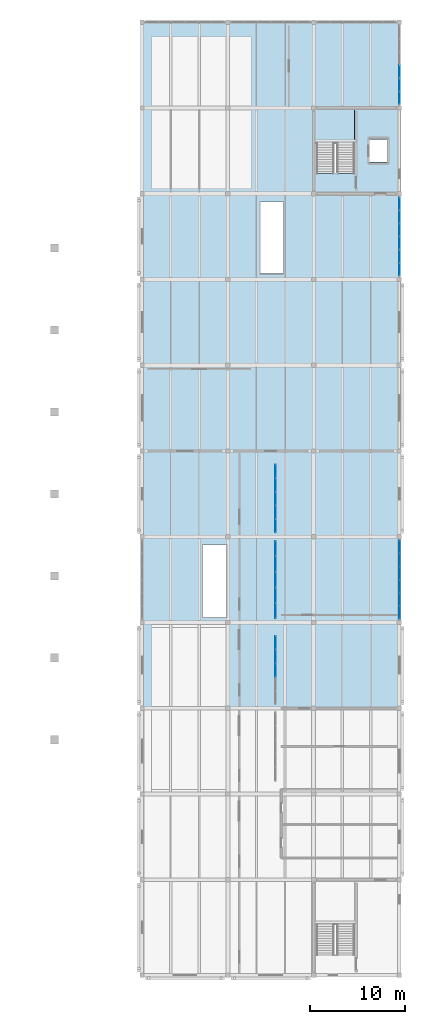
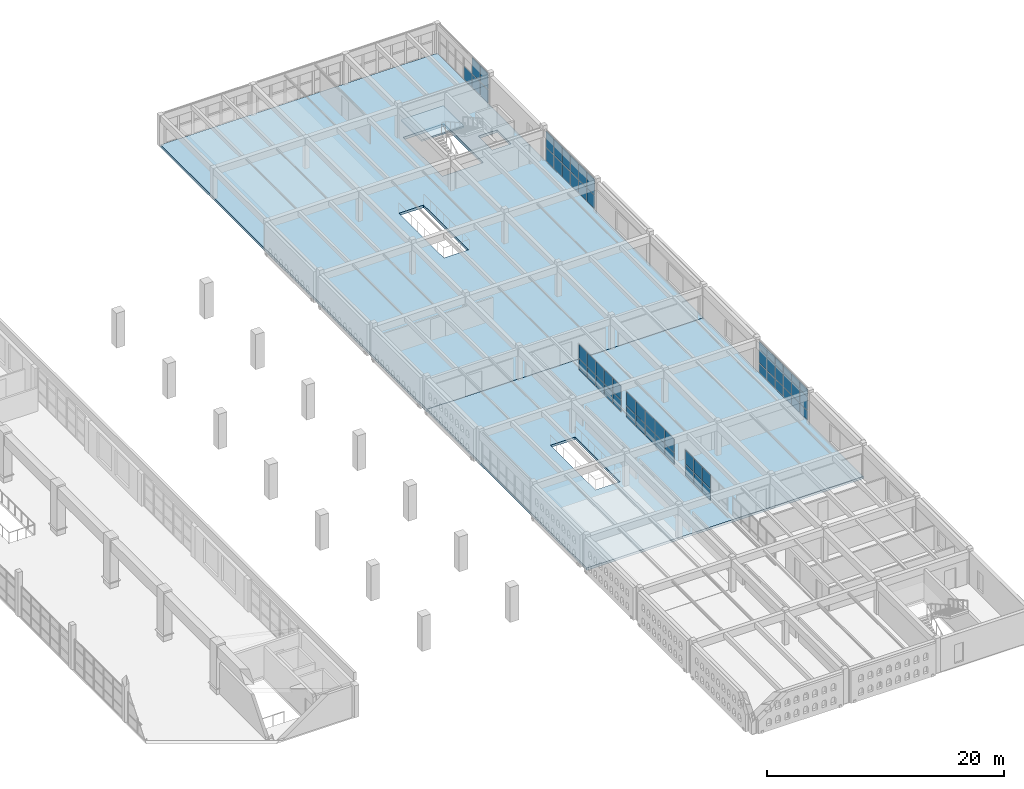
# One storey, part 63 of 80: 61 plates, 3 slabs, 7 elements without a shape of their own.
"""IFC4 building model written with IfcOpenShell, lengths in metres."""

from ifc_helpers import new_model, si_unit, direction, frame, origin, origin_2d, place, context, subcontext, project, spatial, polyline, rectangle, outline, extrude, material, layer, layer_set, type_object, element, aggregate, save


model = new_model("IFC4")

# Units and contexts
model_context = context("Model", 3, precision=1e-05, world=origin(), true_north=direction((0.0, 1.0)))
body_context = subcontext(model_context, "Body", "Model", "MODEL_VIEW")
ifc_project = project(units=[si_unit("LENGTHUNIT", "METRE"), si_unit("AREAUNIT", "SQUARE_METRE"), si_unit("VOLUMEUNIT", "CUBIC_METRE"), si_unit("PLANEANGLEUNIT", "RADIAN"), si_unit("MASSUNIT", "GRAM", prefix="KILO")], contexts=[model_context])

# Site, building, storey
site_placement = place(None, origin())
site = spatial("IfcSite", under=ifc_project, at=site_placement, CompositionType="ELEMENT")
building_placement = place(site_placement, origin())
building = spatial("IfcBuilding", under=site, at=building_placement, Name="Ornek Quay Market", CompositionType="ELEMENT")
storey_placement = place(building_placement, frame((0.0, 0.0, 8.39990234375)))
storey = spatial("IfcBuildingStorey", under=building, at=storey_placement, Name="L02", CompositionType="ELEMENT", Elevation=8.39990234375)

# Curtain wall, plates
ifc_material_1 = material(Name="Anodised bronze aluminium and triple low-e glass", Category="aluminium")
ifc_layer_1 = layer(ifc_material_1, 0.139892578125, Name="Anodised bronze aluminium and triple low-e glass", Category="aluminium")
ifc_layer_set_1 = layer_set([ifc_layer_1], Name="Anodised bronze aluminium and triple low-e glass")
curtain_wall_type_1 = type_object("IfcCurtainWallType", Name="CW-GALLERY-INT", PredefinedType="USERDEFINED", material=ifc_layer_set_1)
curtain_wall_1_placement = place(storey_placement, origin())
curtain_wall_1 = element("IfcCurtainWall", 1, at=curtain_wall_1_placement, inside=storey, type_object=curtain_wall_type_1, Name="Curtain wall CW-168", ObjectType="CURTAIN WALL", PredefinedType="USERDEFINED")
ifc_material_2 = material(Name="Toughened laminated acoustic glass", Category="glass")
ifc_layer_2 = layer(ifc_material_2, 0.01611328125, Name="Toughened laminated acoustic glass", Category="glass")
ifc_layer_set_2 = layer_set([ifc_layer_2], Name="Toughened laminated acoustic glass")
plate_type_1 = type_object("IfcPlateType", Name="PL-CW-INT-16", PredefinedType="CURTAIN_PANEL", material=ifc_layer_set_2)
plate_1_placement = place(storey_placement, frame((167.0, 42.0, 0.06005859375), z_axis=(0.0, 0.0, 1.0), x_axis=(0.0, 1.0, 0.0)))
plate_1 = element("IfcPlate", 2, at=plate_1_placement, type_object=plate_type_1, Name="CW-168 panel 3.1", PredefinedType="CURTAIN_PANEL", context=body_context, shape_type="SweptSolid", body=[
    extrude(rectangle(XDim=1.3798828125, YDim=0.01611328125, at=origin_2d()), origin(), (0.0, 0.0, 1.0), 1.1474609375),
])
plate_2_placement = place(storey_placement, frame((167.0, 42.0, 1.267578125), z_axis=(0.0, 0.0, 1.0), x_axis=(0.0, 1.0, 0.0)))
plate_2 = element("IfcPlate", 3, at=plate_2_placement, type_object=plate_type_1, Name="CW-168 panel 3.2", PredefinedType="CURTAIN_PANEL", context=body_context, shape_type="SweptSolid", body=[
    extrude(rectangle(XDim=1.3798828125, YDim=0.01611328125, at=origin_2d()), origin(), (0.0, 0.0, 1.0), 1.422607421875),
])
plate_3_placement = place(storey_placement, frame((167.0, 43.43994140625, 0.06005859375), z_axis=(0.0, 0.0, 1.0), x_axis=(0.0, 1.0, 0.0)))
plate_3 = element("IfcPlate", 4, at=plate_3_placement, type_object=plate_type_1, Name="CW-168 panel 4.1", PredefinedType="CURTAIN_PANEL", context=body_context, shape_type="SweptSolid", body=[
    extrude(rectangle(XDim=1.3798828125, YDim=0.01611328125, at=origin_2d()), origin(), (0.0, 0.0, 1.0), 1.1474609375),
])
plate_4_placement = place(storey_placement, frame((167.0, 43.43994140625, 1.267578125), z_axis=(0.0, 0.0, 1.0), x_axis=(0.0, 1.0, 0.0)))
plate_4 = element("IfcPlate", 5, at=plate_4_placement, type_object=plate_type_1, Name="CW-168 panel 4.2", PredefinedType="CURTAIN_PANEL", context=body_context, shape_type="SweptSolid", body=[
    extrude(rectangle(XDim=1.3798828125, YDim=0.01611328125, at=origin_2d()), origin(), (0.0, 0.0, 1.0), 1.422607421875),
])
plate_5_placement = place(storey_placement, frame((167.0, 44.864990234375, 0.06005859375), z_axis=(0.0, 0.0, 1.0), x_axis=(0.0, 1.0, 0.0)))
plate_5 = element("IfcPlate", 6, at=plate_5_placement, type_object=plate_type_1, Name="CW-168 panel 5.1", PredefinedType="CURTAIN_PANEL", context=body_context, shape_type="SweptSolid", body=[
    extrude(rectangle(XDim=1.35009765625, YDim=0.01611328125, at=origin_2d()), origin(), (0.0, 0.0, 1.0), 1.1474609375),
])
plate_6_placement = place(storey_placement, frame((167.0, 44.864990234375, 1.267578125), z_axis=(0.0, 0.0, 1.0), x_axis=(0.0, 1.0, 0.0)))
plate_6 = element("IfcPlate", 7, at=plate_6_placement, type_object=plate_type_1, Name="CW-168 panel 5.2", PredefinedType="CURTAIN_PANEL", context=body_context, shape_type="SweptSolid", body=[
    extrude(rectangle(XDim=1.35009765625, YDim=0.01611328125, at=origin_2d()), origin(), (0.0, 0.0, 1.0), 1.422607421875),
])
aggregate(curtain_wall_1, [plate_1, plate_2, plate_3, plate_4, plate_5, plate_6])

curtain_wall_2_placement = place(storey_placement, origin())
curtain_wall_2 = element("IfcCurtainWall", 8, at=curtain_wall_2_placement, inside=storey, type_object=curtain_wall_type_1, Name="Curtain wall CW-169", ObjectType="CURTAIN WALL", PredefinedType="USERDEFINED")
plate_7_placement = place(storey_placement, frame((167.0, 48.235107421875, 0.06005859375), z_axis=(0.0, 0.0, 1.0), x_axis=(0.0, 1.0, 0.0)))
plate_7 = element("IfcPlate", 9, at=plate_7_placement, type_object=plate_type_1, Name="CW-169 panel 1.1", PredefinedType="CURTAIN_PANEL", context=body_context, shape_type="SweptSolid", body=[
    extrude(rectangle(XDim=1.550048828125, YDim=0.01611328125, at=origin_2d()), origin(), (0.0, 0.0, 1.0), 1.1474609375),
])
plate_8_placement = place(storey_placement, frame((167.0, 48.235107421875, 1.267578125), z_axis=(0.0, 0.0, 1.0), x_axis=(0.0, 1.0, 0.0)))
plate_8 = element("IfcPlate", 10, at=plate_8_placement, type_object=plate_type_1, Name="CW-169 panel 1.2", PredefinedType="CURTAIN_PANEL", context=body_context, shape_type="SweptSolid", body=[
    extrude(rectangle(XDim=1.550048828125, YDim=0.01611328125, at=origin_2d()), origin(), (0.0, 0.0, 1.0), 1.422607421875),
])
plate_9_placement = place(storey_placement, frame((167.0, 49.860107421875, 0.06005859375), z_axis=(0.0, 0.0, 1.0), x_axis=(0.0, 1.0, 0.0)))
plate_9 = element("IfcPlate", 11, at=plate_9_placement, type_object=plate_type_1, Name="CW-169 panel 2.1", PredefinedType="CURTAIN_PANEL", context=body_context, shape_type="SweptSolid", body=[
    extrude(rectangle(XDim=1.580078125, YDim=0.01611328125, at=origin_2d()), origin(), (0.0, 0.0, 1.0), 1.1474609375),
])
plate_10_placement = place(storey_placement, frame((167.0, 49.860107421875, 1.267578125), z_axis=(0.0, 0.0, 1.0), x_axis=(0.0, 1.0, 0.0)))
plate_10 = element("IfcPlate", 12, at=plate_10_placement, type_object=plate_type_1, Name="CW-169 panel 2.2", PredefinedType="CURTAIN_PANEL", context=body_context, shape_type="SweptSolid", body=[
    extrude(rectangle(XDim=1.580078125, YDim=0.01611328125, at=origin_2d()), origin(), (0.0, 0.0, 1.0), 1.422607421875),
])
plate_11_placement = place(storey_placement, frame((167.0, 51.5, 0.06005859375), z_axis=(0.0, 0.0, 1.0), x_axis=(0.0, 1.0, 0.0)))
plate_11 = element("IfcPlate", 13, at=plate_11_placement, type_object=plate_type_1, Name="CW-169 panel 3.1", PredefinedType="CURTAIN_PANEL", context=body_context, shape_type="SweptSolid", body=[
    extrude(rectangle(XDim=1.580078125, YDim=0.01611328125, at=origin_2d()), origin(), (0.0, 0.0, 1.0), 1.1474609375),
])
plate_12_placement = place(storey_placement, frame((167.0, 51.5, 1.267578125), z_axis=(0.0, 0.0, 1.0), x_axis=(0.0, 1.0, 0.0)))
plate_12 = element("IfcPlate", 14, at=plate_12_placement, type_object=plate_type_1, Name="CW-169 panel 3.2", PredefinedType="CURTAIN_PANEL", context=body_context, shape_type="SweptSolid", body=[
    extrude(rectangle(XDim=1.580078125, YDim=0.01611328125, at=origin_2d()), origin(), (0.0, 0.0, 1.0), 1.422607421875),
])
plate_13_placement = place(storey_placement, frame((167.0, 53.139892578125, 0.06005859375), z_axis=(0.0, 0.0, 1.0), x_axis=(0.0, 1.0, 0.0)))
plate_13 = element("IfcPlate", 15, at=plate_13_placement, type_object=plate_type_1, Name="CW-169 panel 4.1", PredefinedType="CURTAIN_PANEL", context=body_context, shape_type="SweptSolid", body=[
    extrude(rectangle(XDim=1.580078125, YDim=0.01611328125, at=origin_2d()), origin(), (0.0, 0.0, 1.0), 1.1474609375),
])
plate_14_placement = place(storey_placement, frame((167.0, 53.139892578125, 1.267578125), z_axis=(0.0, 0.0, 1.0), x_axis=(0.0, 1.0, 0.0)))
plate_14 = element("IfcPlate", 16, at=plate_14_placement, type_object=plate_type_1, Name="CW-169 panel 4.2", PredefinedType="CURTAIN_PANEL", context=body_context, shape_type="SweptSolid", body=[
    extrude(rectangle(XDim=1.580078125, YDim=0.01611328125, at=origin_2d()), origin(), (0.0, 0.0, 1.0), 1.422607421875),
])
plate_15_placement = place(storey_placement, frame((167.0, 54.764892578125, 0.06005859375), z_axis=(0.0, 0.0, 1.0), x_axis=(0.0, 1.0, 0.0)))
plate_15 = element("IfcPlate", 17, at=plate_15_placement, type_object=plate_type_1, Name="CW-169 panel 5.1", PredefinedType="CURTAIN_PANEL", context=body_context, shape_type="SweptSolid", body=[
    extrude(rectangle(XDim=1.550048828125, YDim=0.01611328125, at=origin_2d()), origin(), (0.0, 0.0, 1.0), 1.1474609375),
])
plate_16_placement = place(storey_placement, frame((167.0, 54.764892578125, 1.267578125), z_axis=(0.0, 0.0, 1.0), x_axis=(0.0, 1.0, 0.0)))
plate_16 = element("IfcPlate", 18, at=plate_16_placement, type_object=plate_type_1, Name="CW-169 panel 5.2", PredefinedType="CURTAIN_PANEL", context=body_context, shape_type="SweptSolid", body=[
    extrude(rectangle(XDim=1.550048828125, YDim=0.01611328125, at=origin_2d()), origin(), (0.0, 0.0, 1.0), 1.422607421875),
])
aggregate(curtain_wall_2, [plate_7, plate_8, plate_9, plate_10, plate_11, plate_12, plate_13, plate_14, plate_15, plate_16])

curtain_wall_3_placement = place(storey_placement, origin())
curtain_wall_3 = element("IfcCurtainWall", 19, at=curtain_wall_3_placement, inside=storey, type_object=curtain_wall_type_1, Name="Curtain wall CW-170", ObjectType="CURTAIN WALL", PredefinedType="USERDEFINED")
plate_17_placement = place(storey_placement, frame((167.0, 57.135009765625, 0.06005859375), z_axis=(0.0, 0.0, 1.0), x_axis=(0.0, 1.0, 0.0)))
plate_17 = element("IfcPlate", 20, at=plate_17_placement, type_object=plate_type_1, Name="CW-170 panel 1.1", PredefinedType="CURTAIN_PANEL", context=body_context, shape_type="SweptSolid", body=[
    extrude(rectangle(XDim=1.35009765625, YDim=0.01611328125, at=origin_2d()), origin(), (0.0, 0.0, 1.0), 1.1474609375),
])
plate_18_placement = place(storey_placement, frame((167.0, 57.135009765625, 1.267578125), z_axis=(0.0, 0.0, 1.0), x_axis=(0.0, 1.0, 0.0)))
plate_18 = element("IfcPlate", 21, at=plate_18_placement, type_object=plate_type_1, Name="CW-170 panel 1.2", PredefinedType="CURTAIN_PANEL", context=body_context, shape_type="SweptSolid", body=[
    extrude(rectangle(XDim=1.35009765625, YDim=0.01611328125, at=origin_2d()), origin(), (0.0, 0.0, 1.0), 1.422607421875),
])
plate_19_placement = place(storey_placement, frame((167.0, 58.56005859375, 0.06005859375), z_axis=(0.0, 0.0, 1.0), x_axis=(0.0, 1.0, 0.0)))
plate_19 = element("IfcPlate", 22, at=plate_19_placement, type_object=plate_type_1, Name="CW-170 panel 2.1", PredefinedType="CURTAIN_PANEL", context=body_context, shape_type="SweptSolid", body=[
    extrude(rectangle(XDim=1.3798828125, YDim=0.01611328125, at=origin_2d()), origin(), (0.0, 0.0, 1.0), 1.1474609375),
])
plate_20_placement = place(storey_placement, frame((167.0, 58.56005859375, 1.267578125), z_axis=(0.0, 0.0, 1.0), x_axis=(0.0, 1.0, 0.0)))
plate_20 = element("IfcPlate", 23, at=plate_20_placement, type_object=plate_type_1, Name="CW-170 panel 2.2", PredefinedType="CURTAIN_PANEL", context=body_context, shape_type="SweptSolid", body=[
    extrude(rectangle(XDim=1.3798828125, YDim=0.01611328125, at=origin_2d()), origin(), (0.0, 0.0, 1.0), 1.422607421875),
])
plate_21_placement = place(storey_placement, frame((167.0, 60.0, 0.06005859375), z_axis=(0.0, 0.0, 1.0), x_axis=(0.0, 1.0, 0.0)))
plate_21 = element("IfcPlate", 24, at=plate_21_placement, type_object=plate_type_1, Name="CW-170 panel 3.1", PredefinedType="CURTAIN_PANEL", context=body_context, shape_type="SweptSolid", body=[
    extrude(rectangle(XDim=1.3798828125, YDim=0.01611328125, at=origin_2d()), origin(), (0.0, 0.0, 1.0), 1.1474609375),
])
plate_22_placement = place(storey_placement, frame((167.0, 60.0, 1.267578125), z_axis=(0.0, 0.0, 1.0), x_axis=(0.0, 1.0, 0.0)))
plate_22 = element("IfcPlate", 25, at=plate_22_placement, type_object=plate_type_1, Name="CW-170 panel 3.2", PredefinedType="CURTAIN_PANEL", context=body_context, shape_type="SweptSolid", body=[
    extrude(rectangle(XDim=1.3798828125, YDim=0.01611328125, at=origin_2d()), origin(), (0.0, 0.0, 1.0), 1.422607421875),
])
plate_23_placement = place(storey_placement, frame((167.0, 61.43994140625, 0.06005859375), z_axis=(0.0, 0.0, 1.0), x_axis=(0.0, 1.0, 0.0)))
plate_23 = element("IfcPlate", 26, at=plate_23_placement, type_object=plate_type_1, Name="CW-170 panel 4.1", PredefinedType="CURTAIN_PANEL", context=body_context, shape_type="SweptSolid", body=[
    extrude(rectangle(XDim=1.3798828125, YDim=0.01611328125, at=origin_2d()), origin(), (0.0, 0.0, 1.0), 1.1474609375),
])
plate_24_placement = place(storey_placement, frame((167.0, 61.43994140625, 1.267578125), z_axis=(0.0, 0.0, 1.0), x_axis=(0.0, 1.0, 0.0)))
plate_24 = element("IfcPlate", 27, at=plate_24_placement, type_object=plate_type_1, Name="CW-170 panel 4.2", PredefinedType="CURTAIN_PANEL", context=body_context, shape_type="SweptSolid", body=[
    extrude(rectangle(XDim=1.3798828125, YDim=0.01611328125, at=origin_2d()), origin(), (0.0, 0.0, 1.0), 1.422607421875),
])
plate_25_placement = place(storey_placement, frame((167.0, 62.864990234375, 0.06005859375), z_axis=(0.0, 0.0, 1.0), x_axis=(0.0, 1.0, 0.0)))
plate_25 = element("IfcPlate", 28, at=plate_25_placement, type_object=plate_type_1, Name="CW-170 panel 5.1", PredefinedType="CURTAIN_PANEL", context=body_context, shape_type="SweptSolid", body=[
    extrude(rectangle(XDim=1.35009765625, YDim=0.01611328125, at=origin_2d()), origin(), (0.0, 0.0, 1.0), 1.1474609375),
])
plate_26_placement = place(storey_placement, frame((167.0, 62.864990234375, 1.267578125), z_axis=(0.0, 0.0, 1.0), x_axis=(0.0, 1.0, 0.0)))
plate_26 = element("IfcPlate", 29, at=plate_26_placement, type_object=plate_type_1, Name="CW-170 panel 5.2", PredefinedType="CURTAIN_PANEL", context=body_context, shape_type="SweptSolid", body=[
    extrude(rectangle(XDim=1.35009765625, YDim=0.01611328125, at=origin_2d()), origin(), (0.0, 0.0, 1.0), 1.422607421875),
])
aggregate(curtain_wall_3, [plate_17, plate_18, plate_19, plate_20, plate_21, plate_22, plate_23, plate_24, plate_25, plate_26])

ifc_layer_3 = layer(ifc_material_1, 0.18994140625, Name="Anodised bronze aluminium and triple low-e glass", Category="aluminium")
ifc_layer_set_3 = layer_set([ifc_layer_3], Name="Anodised bronze aluminium and triple low-e glass")
curtain_wall_type_2 = type_object("IfcCurtainWallType", Name="CW-FC-MOD1500", PredefinedType="USERDEFINED", material=ifc_layer_set_3)
curtain_wall_4_placement = place(storey_placement, origin())
curtain_wall_4 = element("IfcCurtainWall", 30, at=curtain_wall_4_placement, inside=storey, type_object=curtain_wall_type_2, Name="Curtain wall CW-091", ObjectType="CURTAIN WALL", PredefinedType="USERDEFINED")
ifc_material_3 = material(Name="Triple insulated low-e glass", Category="glass")
ifc_layer_4 = layer(ifc_material_3, 0.035888671875, Name="Triple insulated low-e glass", Category="glass")
ifc_layer_set_4 = layer_set([ifc_layer_4], Name="Triple insulated low-e glass")
plate_type_2 = type_object("IfcPlateType", Name="PL-CW-TRIPLE-36", PredefinedType="CURTAIN_PANEL", material=ifc_layer_set_4)
plate_27_placement = place(storey_placement, frame((180.0, 84.057861328125, 0.06494140625), z_axis=(0.0, 0.0, 1.0), x_axis=(0.0, 1.0, 0.0)))
plate_27 = element("IfcPlate", 31, at=plate_27_placement, type_object=plate_type_2, Name="CW-091 panel 1.1", PredefinedType="CURTAIN_PANEL", context=body_context, shape_type="SweptSolid", body=[
    extrude(rectangle(XDim=1.285888671875, YDim=0.035888671875, at=origin_2d()), origin(), (0.0, 0.0, 1.0), 1.342529296875),
])
plate_28_placement = place(storey_placement, frame((180.0, 84.057861328125, 1.47265625), z_axis=(0.0, 0.0, 1.0), x_axis=(0.0, 1.0, 0.0)))
plate_28 = element("IfcPlate", 32, at=plate_28_placement, type_object=plate_type_2, Name="CW-091 panel 1.2", PredefinedType="CURTAIN_PANEL", context=body_context, shape_type="SweptSolid", body=[
    extrude(rectangle(XDim=1.285888671875, YDim=0.035888671875, at=origin_2d()), origin(), (0.0, 0.0, 1.0), 1.66259765625),
])
plate_29_placement = place(storey_placement, frame((180.0, 85.425048828125, 0.06494140625), z_axis=(0.0, 0.0, 1.0), x_axis=(0.0, 1.0, 0.0)))
plate_29 = element("IfcPlate", 33, at=plate_29_placement, type_object=plate_type_2, Name="CW-091 panel 2.1", PredefinedType="CURTAIN_PANEL", context=body_context, shape_type="SweptSolid", body=[
    extrude(rectangle(XDim=1.318359375, YDim=0.035888671875, at=origin_2d()), origin(), (0.0, 0.0, 1.0), 1.342529296875),
])
plate_30_placement = place(storey_placement, frame((180.0, 85.425048828125, 1.47265625), z_axis=(0.0, 0.0, 1.0), x_axis=(0.0, 1.0, 0.0)))
plate_30 = element("IfcPlate", 34, at=plate_30_placement, type_object=plate_type_2, Name="CW-091 panel 2.2", PredefinedType="CURTAIN_PANEL", context=body_context, shape_type="SweptSolid", body=[
    extrude(rectangle(XDim=1.318359375, YDim=0.035888671875, at=origin_2d()), origin(), (0.0, 0.0, 1.0), 1.66259765625),
])
plate_31_placement = place(storey_placement, frame((180.0, 86.808349609375, 0.06494140625), z_axis=(0.0, 0.0, 1.0), x_axis=(0.0, 1.0, 0.0)))
plate_31 = element("IfcPlate", 35, at=plate_31_placement, type_object=plate_type_2, Name="CW-091 panel 3.1", PredefinedType="CURTAIN_PANEL", context=body_context, shape_type="SweptSolid", body=[
    extrude(rectangle(XDim=1.318359375, YDim=0.035888671875, at=origin_2d()), origin(), (0.0, 0.0, 1.0), 1.342529296875),
])
plate_32_placement = place(storey_placement, frame((180.0, 86.808349609375, 1.47265625), z_axis=(0.0, 0.0, 1.0), x_axis=(0.0, 1.0, 0.0)))
plate_32 = element("IfcPlate", 36, at=plate_32_placement, type_object=plate_type_2, Name="CW-091 panel 3.2", PredefinedType="CURTAIN_PANEL", context=body_context, shape_type="SweptSolid", body=[
    extrude(rectangle(XDim=1.318359375, YDim=0.035888671875, at=origin_2d()), origin(), (0.0, 0.0, 1.0), 1.66259765625),
])
plate_33_placement = place(storey_placement, frame((180.0, 88.191650390625, 0.06494140625), z_axis=(0.0, 0.0, 1.0), x_axis=(0.0, 1.0, 0.0)))
plate_33 = element("IfcPlate", 37, at=plate_33_placement, type_object=plate_type_2, Name="CW-091 panel 4.1", PredefinedType="CURTAIN_PANEL", context=body_context, shape_type="SweptSolid", body=[
    extrude(rectangle(XDim=1.318359375, YDim=0.035888671875, at=origin_2d()), origin(), (0.0, 0.0, 1.0), 1.342529296875),
])
plate_34_placement = place(storey_placement, frame((180.0, 88.191650390625, 1.47265625), z_axis=(0.0, 0.0, 1.0), x_axis=(0.0, 1.0, 0.0)))
plate_34 = element("IfcPlate", 38, at=plate_34_placement, type_object=plate_type_2, Name="CW-091 panel 4.2", PredefinedType="CURTAIN_PANEL", context=body_context, shape_type="SweptSolid", body=[
    extrude(rectangle(XDim=1.318359375, YDim=0.035888671875, at=origin_2d()), origin(), (0.0, 0.0, 1.0), 1.66259765625),
])
plate_35_placement = place(storey_placement, frame((180.0, 89.574951171875, 0.06494140625), z_axis=(0.0, 0.0, 1.0), x_axis=(0.0, 1.0, 0.0)))
plate_35 = element("IfcPlate", 39, at=plate_35_placement, type_object=plate_type_2, Name="CW-091 panel 5.1", PredefinedType="CURTAIN_PANEL", context=body_context, shape_type="SweptSolid", body=[
    extrude(rectangle(XDim=1.318359375, YDim=0.035888671875, at=origin_2d()), origin(), (0.0, 0.0, 1.0), 1.342529296875),
])
plate_36_placement = place(storey_placement, frame((180.0, 89.574951171875, 1.47265625), z_axis=(0.0, 0.0, 1.0), x_axis=(0.0, 1.0, 0.0)))
plate_36 = element("IfcPlate", 40, at=plate_36_placement, type_object=plate_type_2, Name="CW-091 panel 5.2", PredefinedType="CURTAIN_PANEL", context=body_context, shape_type="SweptSolid", body=[
    extrude(rectangle(XDim=1.318359375, YDim=0.035888671875, at=origin_2d()), origin(), (0.0, 0.0, 1.0), 1.66259765625),
])
plate_37_placement = place(storey_placement, frame((180.0, 90.942138671875, 0.06494140625), z_axis=(0.0, 0.0, 1.0), x_axis=(0.0, 1.0, 0.0)))
plate_37 = element("IfcPlate", 41, at=plate_37_placement, type_object=plate_type_2, Name="CW-091 panel 6.1", PredefinedType="CURTAIN_PANEL", context=body_context, shape_type="SweptSolid", body=[
    extrude(rectangle(XDim=1.285888671875, YDim=0.035888671875, at=origin_2d()), origin(), (0.0, 0.0, 1.0), 1.342529296875),
])
plate_38_placement = place(storey_placement, frame((180.0, 90.942138671875, 1.47265625), z_axis=(0.0, 0.0, 1.0), x_axis=(0.0, 1.0, 0.0)))
plate_38 = element("IfcPlate", 42, at=plate_38_placement, type_object=plate_type_2, Name="CW-091 panel 6.2", PredefinedType="CURTAIN_PANEL", context=body_context, shape_type="SweptSolid", body=[
    extrude(rectangle(XDim=1.285888671875, YDim=0.035888671875, at=origin_2d()), origin(), (0.0, 0.0, 1.0), 1.66259765625),
])
aggregate(curtain_wall_4, [plate_27, plate_28, plate_29, plate_30, plate_31, plate_32, plate_33, plate_34, plate_35, plate_36, plate_37, plate_38])

curtain_wall_5_placement = place(storey_placement, origin())
curtain_wall_5 = element("IfcCurtainWall", 43, at=curtain_wall_5_placement, inside=storey, type_object=curtain_wall_type_2, Name="Curtain wall CW-092", ObjectType="CURTAIN WALL", PredefinedType="USERDEFINED")
plate_39_placement = place(storey_placement, frame((180.0, 102.057861328125, 0.06494140625), z_axis=(0.0, 0.0, 1.0), x_axis=(0.0, 1.0, 0.0)))
plate_39 = element("IfcPlate", 44, at=plate_39_placement, type_object=plate_type_2, Name="CW-092 panel 1.1", PredefinedType="CURTAIN_PANEL", context=body_context, shape_type="SweptSolid", body=[
    extrude(rectangle(XDim=1.285888671875, YDim=0.035888671875, at=origin_2d()), origin(), (0.0, 0.0, 1.0), 1.342529296875),
])
plate_40_placement = place(storey_placement, frame((180.0, 102.057861328125, 1.47265625), z_axis=(0.0, 0.0, 1.0), x_axis=(0.0, 1.0, 0.0)))
plate_40 = element("IfcPlate", 45, at=plate_40_placement, type_object=plate_type_2, Name="CW-092 panel 1.2", PredefinedType="CURTAIN_PANEL", context=body_context, shape_type="SweptSolid", body=[
    extrude(rectangle(XDim=1.285888671875, YDim=0.035888671875, at=origin_2d()), origin(), (0.0, 0.0, 1.0), 1.66259765625),
])
plate_41_placement = place(storey_placement, frame((180.0, 103.425048828125, 0.06494140625), z_axis=(0.0, 0.0, 1.0), x_axis=(0.0, 1.0, 0.0)))
plate_41 = element("IfcPlate", 46, at=plate_41_placement, type_object=plate_type_2, Name="CW-092 panel 2.1", PredefinedType="CURTAIN_PANEL", context=body_context, shape_type="SweptSolid", body=[
    extrude(rectangle(XDim=1.318359375, YDim=0.035888671875, at=origin_2d()), origin(), (0.0, 0.0, 1.0), 1.342529296875),
])
plate_42_placement = place(storey_placement, frame((180.0, 103.425048828125, 1.47265625), z_axis=(0.0, 0.0, 1.0), x_axis=(0.0, 1.0, 0.0)))
plate_42 = element("IfcPlate", 47, at=plate_42_placement, type_object=plate_type_2, Name="CW-092 panel 2.2", PredefinedType="CURTAIN_PANEL", context=body_context, shape_type="SweptSolid", body=[
    extrude(rectangle(XDim=1.318359375, YDim=0.035888671875, at=origin_2d()), origin(), (0.0, 0.0, 1.0), 1.66259765625),
])
plate_43_placement = place(storey_placement, frame((180.0, 104.808349609375, 0.06494140625), z_axis=(0.0, 0.0, 1.0), x_axis=(0.0, 1.0, 0.0)))
plate_43 = element("IfcPlate", 48, at=plate_43_placement, type_object=plate_type_2, Name="CW-092 panel 3.1", PredefinedType="CURTAIN_PANEL", context=body_context, shape_type="SweptSolid", body=[
    extrude(rectangle(XDim=1.318359375, YDim=0.035888671875, at=origin_2d()), origin(), (0.0, 0.0, 1.0), 1.342529296875),
])
aggregate(curtain_wall_5, [plate_39, plate_40, plate_41, plate_42, plate_43])

curtain_wall_6_placement = place(storey_placement, origin())
curtain_wall_6 = element("IfcCurtainWall", 49, at=curtain_wall_6_placement, inside=storey, type_object=curtain_wall_type_2, Name="Curtain wall CW-094", ObjectType="CURTAIN WALL", PredefinedType="USERDEFINED")
plate_44_placement = place(storey_placement, frame((180.0, 48.05908203125, 0.06494140625), z_axis=(0.0, 0.0, 1.0), x_axis=(0.0, 1.0, 0.0)))
plate_44 = element("IfcPlate", 50, at=plate_44_placement, type_object=plate_type_2, Name="CW-094 panel 1.1", PredefinedType="CURTAIN_PANEL", context=body_context, shape_type="SweptSolid", body=[
    extrude(rectangle(XDim=1.2783203125, YDim=0.035888671875, at=origin_2d()), origin(), (0.0, 0.0, 1.0), 0.952392578125),
])
plate_45_placement = place(storey_placement, frame((180.0, 48.05908203125, 1.08251953125), z_axis=(0.0, 0.0, 1.0), x_axis=(0.0, 1.0, 0.0)))
plate_45 = element("IfcPlate", 51, at=plate_45_placement, type_object=plate_type_2, Name="CW-094 panel 1.2", PredefinedType="CURTAIN_PANEL", context=body_context, shape_type="SweptSolid", body=[
    extrude(rectangle(XDim=1.2783203125, YDim=0.035888671875, at=origin_2d()), origin(), (0.0, 0.0, 1.0), 1.385009765625),
])
plate_46_placement = place(storey_placement, frame((180.0, 48.05908203125, 2.53271484375), z_axis=(0.0, 0.0, 1.0), x_axis=(0.0, 1.0, 0.0)))
plate_46 = element("IfcPlate", 52, at=plate_46_placement, type_object=plate_type_2, Name="CW-094 panel 1.3", PredefinedType="CURTAIN_PANEL", context=body_context, shape_type="SweptSolid", body=[
    extrude(rectangle(XDim=1.2783203125, YDim=0.035888671875, at=origin_2d()), origin(), (0.0, 0.0, 1.0), 0.75244140625),
])
plate_47_placement = place(storey_placement, frame((180.0, 49.425048828125, 0.06494140625), z_axis=(0.0, 0.0, 1.0), x_axis=(0.0, 1.0, 0.0)))
plate_47 = element("IfcPlate", 53, at=plate_47_placement, type_object=plate_type_2, Name="CW-094 panel 2.1", PredefinedType="CURTAIN_PANEL", context=body_context, shape_type="SweptSolid", body=[
    extrude(rectangle(XDim=1.313232421875, YDim=0.035888671875, at=origin_2d()), origin(), (0.0, 0.0, 1.0), 0.952392578125),
])
plate_48_placement = place(storey_placement, frame((180.0, 49.425048828125, 1.08251953125), z_axis=(0.0, 0.0, 1.0), x_axis=(0.0, 1.0, 0.0)))
plate_48 = element("IfcPlate", 54, at=plate_48_placement, type_object=plate_type_2, Name="CW-094 panel 2.2", PredefinedType="CURTAIN_PANEL", context=body_context, shape_type="SweptSolid", body=[
    extrude(rectangle(XDim=1.313232421875, YDim=0.035888671875, at=origin_2d()), origin(), (0.0, 0.0, 1.0), 1.385009765625),
])
plate_49_placement = place(storey_placement, frame((180.0, 49.425048828125, 2.53271484375), z_axis=(0.0, 0.0, 1.0), x_axis=(0.0, 1.0, 0.0)))
plate_49 = element("IfcPlate", 55, at=plate_49_placement, type_object=plate_type_2, Name="CW-094 panel 2.3", PredefinedType="CURTAIN_PANEL", context=body_context, shape_type="SweptSolid", body=[
    extrude(rectangle(XDim=1.313232421875, YDim=0.035888671875, at=origin_2d()), origin(), (0.0, 0.0, 1.0), 0.75244140625),
])
plate_50_placement = place(storey_placement, frame((180.0, 50.808349609375, 0.06494140625), z_axis=(0.0, 0.0, 1.0), x_axis=(0.0, 1.0, 0.0)))
plate_50 = element("IfcPlate", 56, at=plate_50_placement, type_object=plate_type_2, Name="CW-094 panel 3.1", PredefinedType="CURTAIN_PANEL", context=body_context, shape_type="SweptSolid", body=[
    extrude(rectangle(XDim=1.313232421875, YDim=0.035888671875, at=origin_2d()), origin(), (0.0, 0.0, 1.0), 0.952392578125),
])
plate_51_placement = place(storey_placement, frame((180.0, 50.808349609375, 1.08251953125), z_axis=(0.0, 0.0, 1.0), x_axis=(0.0, 1.0, 0.0)))
plate_51 = element("IfcPlate", 57, at=plate_51_placement, type_object=plate_type_2, Name="CW-094 panel 3.2", PredefinedType="CURTAIN_PANEL", context=body_context, shape_type="SweptSolid", body=[
    extrude(rectangle(XDim=1.313232421875, YDim=0.035888671875, at=origin_2d()), origin(), (0.0, 0.0, 1.0), 1.385009765625),
])
plate_52_placement = place(storey_placement, frame((180.0, 50.808349609375, 2.53271484375), z_axis=(0.0, 0.0, 1.0), x_axis=(0.0, 1.0, 0.0)))
plate_52 = element("IfcPlate", 58, at=plate_52_placement, type_object=plate_type_2, Name="CW-094 panel 3.3", PredefinedType="CURTAIN_PANEL", context=body_context, shape_type="SweptSolid", body=[
    extrude(rectangle(XDim=1.313232421875, YDim=0.035888671875, at=origin_2d()), origin(), (0.0, 0.0, 1.0), 0.75244140625),
])
plate_53_placement = place(storey_placement, frame((180.0, 52.191650390625, 0.06494140625), z_axis=(0.0, 0.0, 1.0), x_axis=(0.0, 1.0, 0.0)))
plate_53 = element("IfcPlate", 59, at=plate_53_placement, type_object=plate_type_2, Name="CW-094 panel 4.1", PredefinedType="CURTAIN_PANEL", context=body_context, shape_type="SweptSolid", body=[
    extrude(rectangle(XDim=1.313232421875, YDim=0.035888671875, at=origin_2d()), origin(), (0.0, 0.0, 1.0), 0.952392578125),
])
plate_54_placement = place(storey_placement, frame((180.0, 52.191650390625, 1.08251953125), z_axis=(0.0, 0.0, 1.0), x_axis=(0.0, 1.0, 0.0)))
plate_54 = element("IfcPlate", 60, at=plate_54_placement, type_object=plate_type_2, Name="CW-094 panel 4.2", PredefinedType="CURTAIN_PANEL", context=body_context, shape_type="SweptSolid", body=[
    extrude(rectangle(XDim=1.313232421875, YDim=0.035888671875, at=origin_2d()), origin(), (0.0, 0.0, 1.0), 1.385009765625),
])
plate_55_placement = place(storey_placement, frame((180.0, 52.191650390625, 2.53271484375), z_axis=(0.0, 0.0, 1.0), x_axis=(0.0, 1.0, 0.0)))
plate_55 = element("IfcPlate", 61, at=plate_55_placement, type_object=plate_type_2, Name="CW-094 panel 4.3", PredefinedType="CURTAIN_PANEL", context=body_context, shape_type="SweptSolid", body=[
    extrude(rectangle(XDim=1.313232421875, YDim=0.035888671875, at=origin_2d()), origin(), (0.0, 0.0, 1.0), 0.75244140625),
])
plate_56_placement = place(storey_placement, frame((180.0, 53.574951171875, 0.06494140625), z_axis=(0.0, 0.0, 1.0), x_axis=(0.0, 1.0, 0.0)))
plate_56 = element("IfcPlate", 62, at=plate_56_placement, type_object=plate_type_2, Name="CW-094 panel 5.1", PredefinedType="CURTAIN_PANEL", context=body_context, shape_type="SweptSolid", body=[
    extrude(rectangle(XDim=1.313232421875, YDim=0.035888671875, at=origin_2d()), origin(), (0.0, 0.0, 1.0), 0.952392578125),
])
plate_57_placement = place(storey_placement, frame((180.0, 53.574951171875, 1.08251953125), z_axis=(0.0, 0.0, 1.0), x_axis=(0.0, 1.0, 0.0)))
plate_57 = element("IfcPlate", 63, at=plate_57_placement, type_object=plate_type_2, Name="CW-094 panel 5.2", PredefinedType="CURTAIN_PANEL", context=body_context, shape_type="SweptSolid", body=[
    extrude(rectangle(XDim=1.313232421875, YDim=0.035888671875, at=origin_2d()), origin(), (0.0, 0.0, 1.0), 1.385009765625),
])
plate_58_placement = place(storey_placement, frame((180.0, 53.574951171875, 2.53271484375), z_axis=(0.0, 0.0, 1.0), x_axis=(0.0, 1.0, 0.0)))
plate_58 = element("IfcPlate", 64, at=plate_58_placement, type_object=plate_type_2, Name="CW-094 panel 5.3", PredefinedType="CURTAIN_PANEL", context=body_context, shape_type="SweptSolid", body=[
    extrude(rectangle(XDim=1.313232421875, YDim=0.035888671875, at=origin_2d()), origin(), (0.0, 0.0, 1.0), 0.75244140625),
])
plate_59_placement = place(storey_placement, frame((180.0, 54.94091796875, 0.06494140625), z_axis=(0.0, 0.0, 1.0), x_axis=(0.0, 1.0, 0.0)))
plate_59 = element("IfcPlate", 65, at=plate_59_placement, type_object=plate_type_2, Name="CW-094 panel 6.1", PredefinedType="CURTAIN_PANEL", context=body_context, shape_type="SweptSolid", body=[
    extrude(rectangle(XDim=1.2783203125, YDim=0.035888671875, at=origin_2d()), origin(), (0.0, 0.0, 1.0), 0.952392578125),
])
plate_60_placement = place(storey_placement, frame((180.0, 54.94091796875, 1.08251953125), z_axis=(0.0, 0.0, 1.0), x_axis=(0.0, 1.0, 0.0)))
plate_60 = element("IfcPlate", 66, at=plate_60_placement, type_object=plate_type_2, Name="CW-094 panel 6.2", PredefinedType="CURTAIN_PANEL", context=body_context, shape_type="SweptSolid", body=[
    extrude(rectangle(XDim=1.2783203125, YDim=0.035888671875, at=origin_2d()), origin(), (0.0, 0.0, 1.0), 1.385009765625),
])
plate_61_placement = place(storey_placement, frame((180.0, 54.94091796875, 2.53271484375), z_axis=(0.0, 0.0, 1.0), x_axis=(0.0, 1.0, 0.0)))
plate_61 = element("IfcPlate", 67, at=plate_61_placement, type_object=plate_type_2, Name="CW-094 panel 6.3", PredefinedType="CURTAIN_PANEL", context=body_context, shape_type="SweptSolid", body=[
    extrude(rectangle(XDim=1.2783203125, YDim=0.035888671875, at=origin_2d()), origin(), (0.0, 0.0, 1.0), 0.75244140625),
])
aggregate(curtain_wall_6, [plate_44, plate_45, plate_46, plate_47, plate_48, plate_49, plate_50, plate_51, plate_52, plate_53, plate_54, plate_55, plate_56, plate_57, plate_58, plate_59, plate_60, plate_61])

# Slabs
ifc_material_4 = material(Name="Concrete C35/45", Category="concrete")
ifc_layer_5 = layer(ifc_material_4, 0.25, Name="Concrete C35/45", Category="concrete")
ifc_layer_set_5 = layer_set([ifc_layer_5], Name="Concrete C35/45")
slab_type_1 = type_object("IfcSlabType", Name="SL-FLR-CS-250", PredefinedType="FLOOR", material=ifc_layer_set_5)
slab_1_placement = place(storey_placement, frame((0.0, 0.0, -0.25)))
element("IfcSlab", 68, at=slab_1_placement, inside=storey, type_object=slab_type_1, Name="Slab S-061 (L02)", PredefinedType="FLOOR", context=body_context, shape_type="SweptSolid", body=[
    extrude(outline(polyline([(153.0, 38.0), (180.0, 38.0), (180.0, 65.0), (153.0, 65.0), (153.0, 38.0)]), holes=[polyline([(159.39990234375, 55.199951171875), (161.800048828125, 55.199951171875), (161.800048828125, 47.60009765625), (159.39990234375, 47.60009765625), (159.39990234375, 55.199951171875)])]), origin(), (0.0, 0.0, 1.0), 0.25),
])
ifc_layer_6 = layer(ifc_material_4, 0.27001953125, Name="Concrete C35/45", Category="concrete")
ifc_layer_set_6 = layer_set([ifc_layer_6], Name="Concrete C35/45")
slab_type_2 = type_object("IfcSlabType", Name="SL-FLR-FC-270", PredefinedType="FLOOR", material=ifc_layer_set_6)
slab_2_placement = place(storey_placement, frame((0.0, 0.0, -0.27001953125)))
element("IfcSlab", 69, at=slab_2_placement, inside=storey, type_object=slab_type_2, Name="Slab S-059 (L02)", PredefinedType="FLOOR", context=body_context, shape_type="SweptSolid", body=[
    extrude(outline(polyline([(153.0, 65.0), (180.0, 65.0), (180.0, 110.0), (153.0, 110.0), (153.0, 65.0)]), holes=[polyline([(167.800048828125, 91.199951171875), (167.800048828125, 83.60009765625), (165.39990234375, 83.60009765625), (165.39990234375, 91.199951171875), (167.800048828125, 91.199951171875)]), polyline([(178.719970703125, 95.330078125), (176.8798828125, 95.330078125), (176.8798828125, 97.669921875), (178.719970703125, 97.669921875), (178.719970703125, 95.330078125)]), polyline([(175.300048828125, 94.10009765625), (171.300048828125, 94.10009765625), (171.300048828125, 100.699951171875), (175.300048828125, 100.699951171875), (175.300048828125, 94.10009765625)])]), origin(), (0.0, 0.0, 1.0), 0.27001953125),
])

# Stair, slab
ifc_material_5 = material(Name="Precast concrete C40/50", Category="concrete")
stair_type = type_object("IfcStairType", Name="ST-CORE-L02-L03", PredefinedType="HALF_TURN_STAIR", material=ifc_material_5)
stair_placement = place(storey_placement, origin())
stair = element("IfcStair", 70, at=stair_placement, inside=storey, type_object=stair_type, Name="Core stair ST-05-L02 (L02 to L03)", PredefinedType="HALF_TURN_STAIR")
ifc_layer_7 = layer(ifc_material_5, 0.1650390625, Name="Precast concrete C40/50", Category="concrete")
ifc_layer_set_7 = layer_set([ifc_layer_7], Name="Precast concrete C40/50")
slab_type_3 = type_object("IfcSlabType", Name="SL-LND-165", PredefinedType="LANDING", material=ifc_layer_set_7)
slab_3_placement = place(storey_placement, frame((0.0, 0.0, 1.635009765625)))
slab_3 = element("IfcSlab", 71, at=slab_3_placement, type_object=slab_type_3, Name="ST-05-L02 landing 1", PredefinedType="LANDING", context=body_context, shape_type="SweptSolid", body=[
    extrude(outline(polyline([(171.159912109375, 97.342041015625), (175.300048828125, 97.342041015625), (175.300048828125, 100.840087890625), (171.159912109375, 100.840087890625), (171.159912109375, 97.342041015625)])), origin(), (0.0, 0.0, 1.0), 0.1650390625),
])
aggregate(stair, [slab_3])

save(model, "model.ifc")
